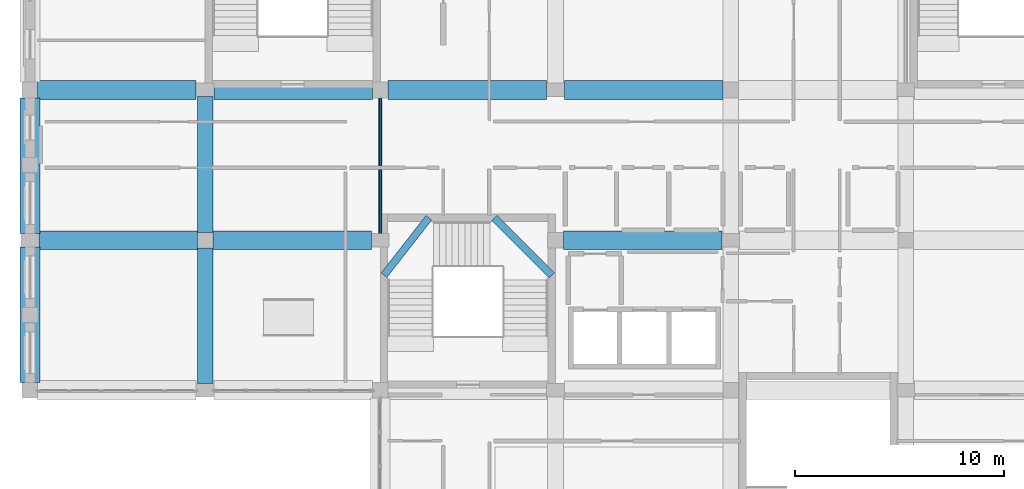
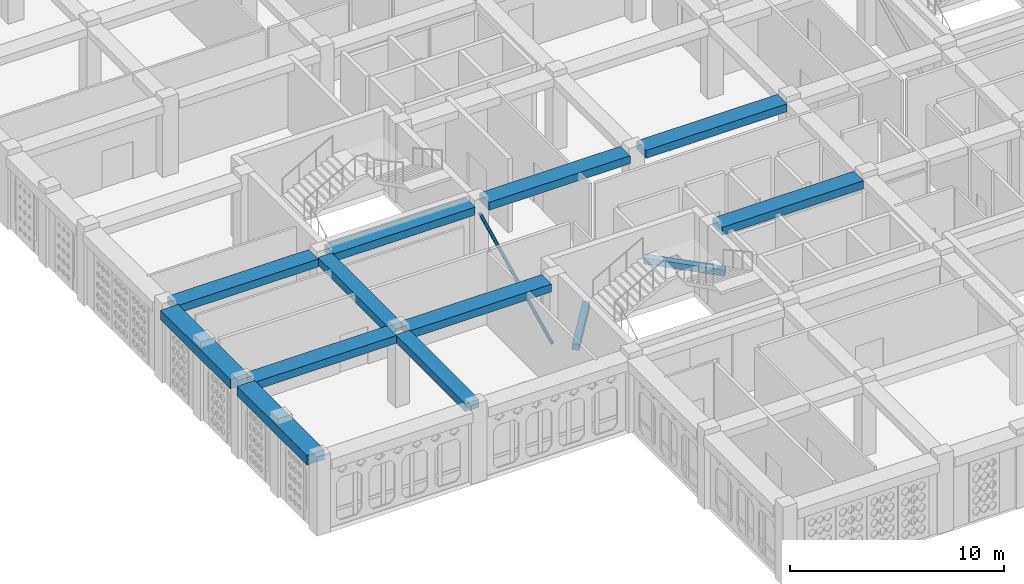
# One storey, part 6 of 111: 13 beams, 1 member.
"""IFC4 building model written with IfcOpenShell, lengths in metres."""

from ifc_helpers import new_model, si_unit, derived_unit, direction, frame, origin, origin_2d, place, context, subcontext, project, spatial, rectangle, hollow_circle, extrude, material, material_profile, profile_set, type_object, element, save


model = new_model("IFC4")

# Units and contexts
model_context = context("Model", 3, precision=1e-05, world=origin(), true_north=direction((0.0, 1.0)))
body_context = subcontext(model_context, "Body", "Model", "MODEL_VIEW")
ifc_project = project(units=[si_unit("LENGTHUNIT", "METRE"), si_unit("AREAUNIT", "SQUARE_METRE"), si_unit("VOLUMEUNIT", "CUBIC_METRE"), si_unit("PLANEANGLEUNIT", "RADIAN"), si_unit("MASSUNIT", "GRAM", prefix="KILO"), derived_unit("THERMALTRANSMITTANCEUNIT", [(si_unit("POWERUNIT", "WATT"), 1), (si_unit("LENGTHUNIT", "METRE"), -2), (si_unit("THERMODYNAMICTEMPERATUREUNIT", "KELVIN"), -1)])], contexts=[model_context])

# Site, building, storey
site_placement = place(None, origin())
site = spatial("IfcSite", under=ifc_project, at=site_placement, CompositionType="ELEMENT")
building_placement = place(site_placement, origin())
building = spatial("IfcBuilding", under=site, at=building_placement, Name="Veybourne Emporium", CompositionType="ELEMENT")
storey_placement = place(building_placement, frame((0.0, 0.0, 9.89990234375)))
storey = spatial("IfcBuildingStorey", under=building, at=storey_placement, Name="L02", CompositionType="ELEMENT", Elevation=9.89990234375)

# Beams
ifc_material_1 = material(Name="Concrete C32/40", Category="concrete")
ifc_material_profile_1 = material_profile(ifc_material_1, rectangle(XDim=0.35009765625, YDim=0.35009765625, at=origin_2d()), Name="RC 350x350")
ifc_profile_set_1 = profile_set([ifc_material_profile_1], Name="Concrete C32/40")
beam_type_1 = type_object("IfcBeamType", Name="LandingBeam_LB-01", PredefinedType="BEAM", material=ifc_profile_set_1)
beam_1_placement = place(storey_placement, frame((16.97509765625, 19.919921875, 1.125), z_axis=(0.616059796619, 0.78769938872, 0.0), x_axis=(-0.78769938872, 0.616059796619, 0.0)))
element("IfcBeam", 1, at=beam_1_placement, inside=storey, type_object=beam_type_1, Name="L02 ST-01 landing 1 support beam", PredefinedType="BEAM", context=body_context, shape_type="SweptSolid", body=[
    extrude(rectangle(XDim=0.35009765625, YDim=0.35009765625, at=origin_2d()), origin(), (0.0, 0.0, 1.0), 3.497802734375),
])
beam_2_placement = place(storey_placement, frame((22.27001953125, 22.675048828125, 2.625), z_axis=(0.707075449606, -0.707138111379, 0.0), x_axis=(0.707138111379, 0.707075449606, 0.0)))
element("IfcBeam", 2, at=beam_2_placement, inside=storey, type_object=beam_type_1, Name="L02 ST-01 landing 2 support beam", PredefinedType="BEAM", context=body_context, shape_type="SweptSolid", body=[
    extrude(rectangle(XDim=0.35009765625, YDim=0.35009765625, at=origin_2d()), origin(), (0.0, 0.0, 1.0), 3.896240234375),
])
ifc_material_profile_2 = material_profile(ifc_material_1, rectangle(XDim=0.89990234375, YDim=0.449951171875, at=origin_2d()), Name="RC 900x450")
ifc_profile_set_2 = profile_set([ifc_material_profile_2], Name="Concrete C32/40")
beam_type_2 = type_object("IfcBeamType", Name="RCBeam_BB-03", PredefinedType="BEAM", material=ifc_profile_set_2)
beam_3_placement = place(storey_placement, frame((0.425048828125, 21.60009765625, 3.955078125), z_axis=(1.0, 0.0, 0.0), x_axis=(0.0, 1.0, 0.0)))
element("IfcBeam", 3, at=beam_3_placement, inside=storey, type_object=beam_type_2, Name="L02 X-grid beam BB-03 (0,3)", PredefinedType="BEAM", context=body_context, shape_type="SweptSolid", body=[
    extrude(rectangle(XDim=0.89990234375, YDim=0.449951171875, at=origin_2d()), origin(), (0.0, 0.0, 1.0), 7.599853515625),
])
for number, where, z_axis, x_axis, name in (
    (4, (0.375, 28.800048828125, 3.955078125), (1.0, 0.0, 0.0), (0.0, 1.0, 0.0), "L02 X-grid beam BB-03 (0,4)"),
    (5, (8.77490234375, 21.60009765625, 3.955078125), (1.0, 0.0, 0.0), (0.0, 1.0, 0.0), "L02 X-grid beam BB-03 (1,3)"),
    (6, (8.824951171875, 28.800048828125, 3.955078125), (1.0, 0.0, 0.0), (0.0, 1.0, 0.0), "L02 X-grid beam BB-03 (1,4)"),
):
    element("IfcBeam", number, at=place(storey_placement, frame(where, z_axis=z_axis, x_axis=x_axis)), inside=storey, type_object=beam_type_2, Name=name, PredefinedType="BEAM", context=body_context, shape_type="SweptSolid", body=[
        extrude(rectangle(XDim=0.89990234375, YDim=0.449951171875, at=origin_2d()), origin(), (0.0, 0.0, 1.0), 7.60009765625),
    ])
beam_4_placement = place(storey_placement, frame((17.175048828125, 28.800048828125, 3.955078125), z_axis=(1.0, 0.0, 0.0), x_axis=(0.0, 1.0, 0.0)))
element("IfcBeam", 7, at=beam_4_placement, inside=storey, type_object=beam_type_2, Name="L02 X-grid beam BB-03 (2,4)", PredefinedType="BEAM", context=body_context, shape_type="SweptSolid", body=[
    extrude(rectangle(XDim=0.89990234375, YDim=0.449951171875, at=origin_2d()), origin(), (0.0, 0.0, 1.0), 7.599853515625),
])
for number, where, z_axis, x_axis, name in (
    (8, (25.574951171875, 21.60009765625, 3.955078125), (1.0, 0.0, 0.0), (0.0, 1.0, 0.0), "L02 X-grid beam BB-03 (3,3)"),
    (9, (25.625, 28.800048828125, 3.955078125), (1.0, 0.0, 0.0), (0.0, 1.0, 0.0), "L02 X-grid beam BB-03 (3,4)"),
):
    element("IfcBeam", number, at=place(storey_placement, frame(where, z_axis=z_axis, x_axis=x_axis)), inside=storey, type_object=beam_type_2, Name=name, PredefinedType="BEAM", context=body_context, shape_type="SweptSolid", body=[
        extrude(rectangle(XDim=0.89990234375, YDim=0.449951171875, at=origin_2d()), origin(), (0.0, 0.0, 1.0), 7.60009765625),
    ])
ifc_material_profile_3 = material_profile(ifc_material_1, rectangle(XDim=0.75, YDim=0.449951171875, at=origin_2d()), Name="RC 750x450")
ifc_profile_set_3 = profile_set([ifc_material_profile_3], Name="Concrete C32/40")
beam_type_3 = type_object("IfcBeamType", Name="RCBeam_BB-04", PredefinedType="BEAM", material=ifc_profile_set_3)
for number, where, z_axis, x_axis, name in (
    (10, (8.39990234375, 14.72509765625, 3.955078125), (0.0, 1.0, 0.0), (-1.0, 0.0, 0.0), "L02 Y-grid beam BB-04 (1,2)"),
    (11, (8.39990234375, 21.97509765625, 3.955078125), (0.0, 1.0, 0.0), (-1.0, 0.0, 0.0), "L02 Y-grid beam BB-04 (1,3)"),
):
    element("IfcBeam", number, at=place(storey_placement, frame(where, z_axis=z_axis, x_axis=x_axis)), inside=storey, type_object=beam_type_3, Name=name, PredefinedType="BEAM", context=body_context, shape_type="SweptSolid", body=[
        extrude(rectangle(XDim=0.75, YDim=0.449951171875, at=origin_2d()), origin(), (0.0, 0.0, 1.0), 6.5),
    ])
ifc_material_profile_4 = material_profile(ifc_material_1, rectangle(XDim=0.949951171875, YDim=0.550048828125, at=origin_2d()), Name="RC 950x550")
ifc_profile_set_4 = profile_set([ifc_material_profile_4], Name="Concrete C32/40")
beam_type_4 = type_object("IfcBeamType", Name="RCBeam_EB-01", PredefinedType="SPANDREL", material=ifc_profile_set_4)
for number, where, z_axis, x_axis, name in (
    (12, (0.0, 14.77490234375, 3.905029296875), (0.0, 1.0, 0.0), (-1.0, 0.0, 0.0), "L02 Y-grid beam EB-01 (0,2)"),
    (13, (0.0, 21.925048828125, 3.905029296875), (0.0, 1.0, 0.0), (-1.0, 0.0, 0.0), "L02 Y-grid beam EB-01 (0,3)"),
):
    element("IfcBeam", number, at=place(storey_placement, frame(where, z_axis=z_axis, x_axis=x_axis)), inside=storey, type_object=beam_type_4, Name=name, PredefinedType="SPANDREL", context=body_context, shape_type="SweptSolid", body=[
        extrude(rectangle(XDim=0.949951171875, YDim=0.550048828125, at=origin_2d()), origin(), (0.0, 0.0, 1.0), 6.5),
    ])

# Member
ifc_material_2 = material(Name="Steel S355", Category="steel")
ifc_material_profile_5 = material_profile(ifc_material_2, hollow_circle(Radius=0.084228515625, WallThickness=0.008056640625, at=origin_2d()), Name="CHS 168.3x8.0")
ifc_profile_set_5 = profile_set([ifc_material_profile_5], Name="Steel S355")
member_type = type_object("IfcMemberType", Name="SteelMem_DB-01", PredefinedType="BRACE", material=ifc_profile_set_5)
member_placement = place(storey_placement, frame((16.800048828125, 21.820068359375, 0.25), z_axis=(0.0, 0.897061623358, 0.441905469414), x_axis=(-1.0, 0.0, 0.0)))
element("IfcMember", 14, at=member_placement, inside=storey, type_object=member_type, Name="Internal lateral frame brace DB-01.07 (L02)", PredefinedType="BRACE", context=body_context, shape_type="SweptSolid", body=[
    extrude(hollow_circle(Radius=0.084228515625, WallThickness=0.008056640625, at=origin_2d()), origin(), (0.0, 0.0, 1.0), 7.53564453125),
])

save(model, "model.ifc")
